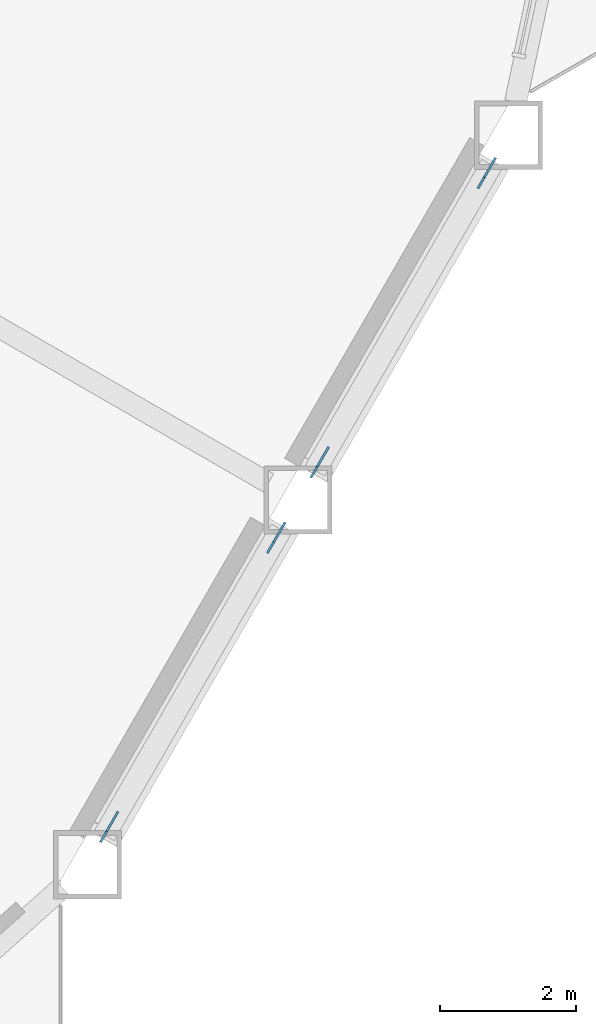
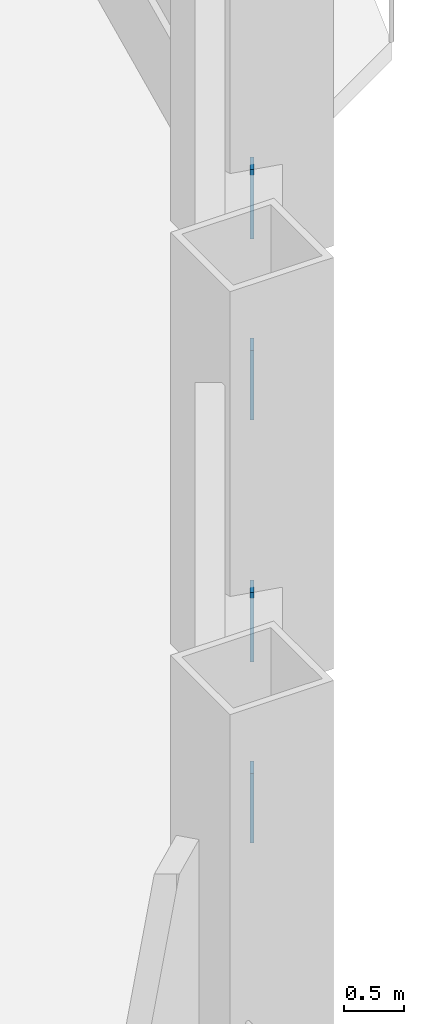
# One storey, part 14 of 20: 4 discrete accessories.
"""IFC4 building model written with IfcOpenShell, lengths in metres."""

from ifc_helpers import new_model, si_unit, direction, frame, origin, origin_2d, place, context, subcontext, project, spatial, rectangle, extrude, material, material_profile, profile_set, type_object, element, save


model = new_model("IFC4")

# Units and contexts
model_context = context("Model", 3, precision=1e-05, world=origin(), true_north=direction((0.0, 1.0)))
body_context = subcontext(model_context, "Body", "Model", "MODEL_VIEW")
ifc_project = project(units=[si_unit("LENGTHUNIT", "METRE"), si_unit("AREAUNIT", "SQUARE_METRE"), si_unit("VOLUMEUNIT", "CUBIC_METRE"), si_unit("PLANEANGLEUNIT", "RADIAN"), si_unit("MASSUNIT", "GRAM", prefix="KILO")], contexts=[model_context])

# Site, building, storey
site_placement = place(None, origin())
site = spatial("IfcSite", under=ifc_project, at=site_placement, CompositionType="ELEMENT")
building_placement = place(site_placement, origin())
building = spatial("IfcBuilding", under=site, at=building_placement, Name="Cormorant Prow Tower", CompositionType="ELEMENT")
storey_placement = place(building_placement, frame((0.0, 0.0, 63.60009765625)))
storey = spatial("IfcBuildingStorey", under=building, at=storey_placement, Name="L13", CompositionType="ELEMENT", Elevation=63.60009765625)

# Discrete accessories
ifc_material = material(Name="Structural steel ASTM A500 Gr C", Category="steel")
ifc_material_profile = material_profile(ifc_material, rectangle(XDim=0.031982421875, YDim=0.60791015625, at=origin_2d()), Name="Gusset plate 32x608")
ifc_profile_set = profile_set([ifc_material_profile], Name="Structural steel ASTM A500 Gr C")
discrete_accessory_type = type_object("IfcDiscreteAccessoryType", Name="Gusset plate 32x608", PredefinedType="BRACKET", material=ifc_profile_set)
discrete_accessory_1_placement = place(storey_placement, frame((27.512939453125, -16.813232421875, 0.859130859375), z_axis=(0.476464602218, 0.823872174553, -0.306946449452), x_axis=(-0.865660382551, 0.500631703033, 0.0)))
element("IfcDiscreteAccessory", 1, at=discrete_accessory_1_placement, inside=storey, type_object=discrete_accessory_type, Name="Gusset plate GP1 L13.ESE00.g0", PredefinedType="BRACKET", context=body_context, shape_type="SweptSolid", body=[
    extrude(rectangle(XDim=0.031982421875, YDim=0.60791015625, at=origin_2d()), origin(), (0.0, 0.0, 1.0), 0.349853515625),
])
for number, where, z_axis, x_axis, name in (
    (2, (25.232421875, -20.763427734375, 2.32958984375), (-0.475651503409, -0.824369614413, 0.306871937683), (0.866161185697, -0.499764745047, 0.0), "Gusset plate GP1 L13.ESE00.g1"),
    (3, (30.597900390625, -11.47021484375, 0.859130859375), (0.475651503409, 0.824369614413, -0.306871937683), (-0.866161185697, 0.499764745047, 0.0), "Gusset plate GP1 L13.ESE01.g0"),
):
    element("IfcDiscreteAccessory", number, at=place(storey_placement, frame(where, z_axis=z_axis, x_axis=x_axis)), inside=storey, type_object=discrete_accessory_type, Name=name, PredefinedType="BRACKET", context=body_context, shape_type="SweptSolid", body=[
        extrude(rectangle(XDim=0.031982421875, YDim=0.60791015625, at=origin_2d()), origin(), (0.0, 0.0, 1.0), 0.35009765625),
    ])
discrete_accessory_2_placement = place(storey_placement, frame((28.3173828125, -15.42041015625, 2.32958984375), z_axis=(-0.476464602218, -0.823872174553, 0.306946449452), x_axis=(0.865660382551, -0.500631703033, 0.0)))
element("IfcDiscreteAccessory", 4, at=discrete_accessory_2_placement, inside=storey, type_object=discrete_accessory_type, Name="Gusset plate GP1 L13.ESE01.g1", PredefinedType="BRACKET", context=body_context, shape_type="SweptSolid", body=[
    extrude(rectangle(XDim=0.031982421875, YDim=0.60791015625, at=origin_2d()), origin(), (0.0, 0.0, 1.0), 0.349853515625),
])

save(model, "model.ifc")
